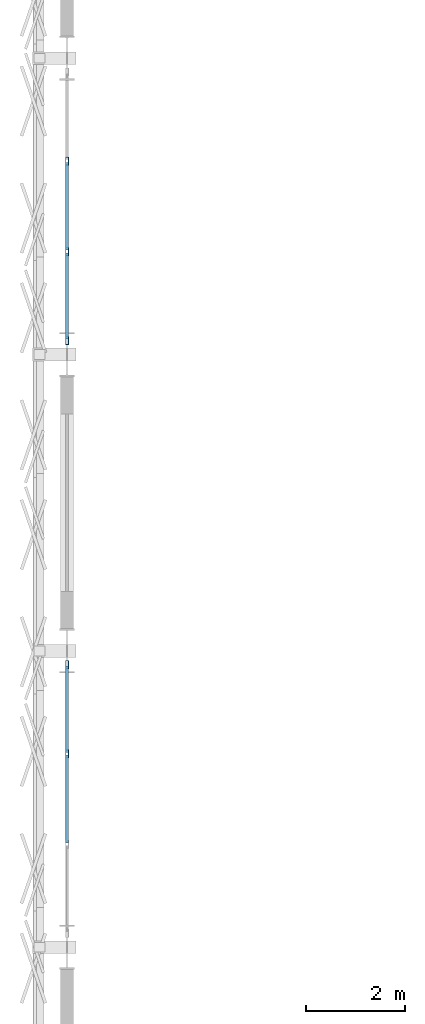
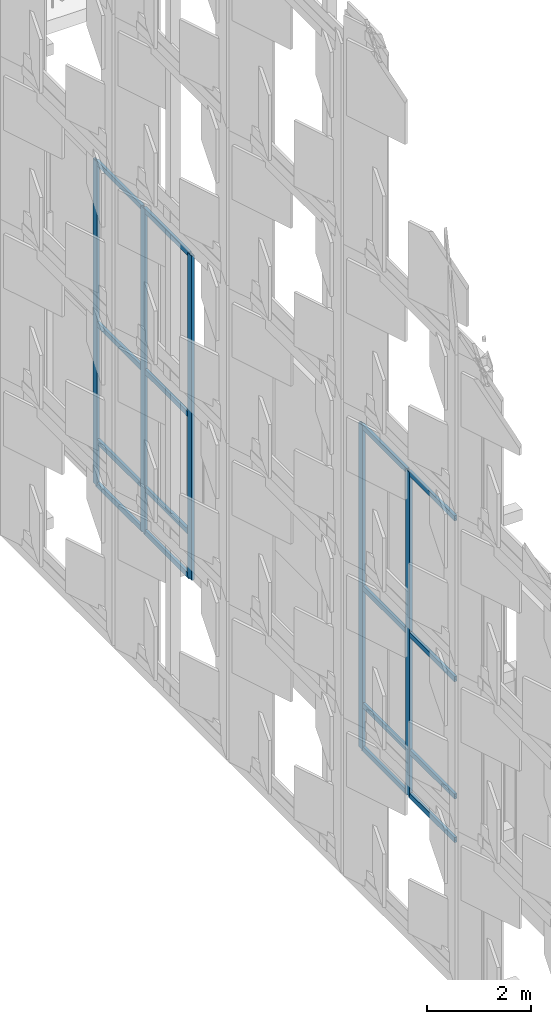
# One storey, part 77 of 210: 21 members, 2 elements without a shape of their own.
"""IFC4 building model written with IfcOpenShell, lengths in metres."""

from ifc_helpers import new_model, si_unit, direction, frame, origin, origin_2d, place, context, subcontext, project, spatial, hollow_rectangle, extrude, material, material_profile, profile_set, type_object, element, aggregate, save


model = new_model("IFC4")

# Units and contexts
model_context = context("Model", 3, precision=1e-05, world=origin(), true_north=direction((0.0, 1.0)))
body_context = subcontext(model_context, "Body", "Model", "MODEL_VIEW")
ifc_project = project(units=[si_unit("LENGTHUNIT", "METRE"), si_unit("AREAUNIT", "SQUARE_METRE"), si_unit("VOLUMEUNIT", "CUBIC_METRE"), si_unit("PLANEANGLEUNIT", "RADIAN"), si_unit("MASSUNIT", "GRAM", prefix="KILO")], contexts=[model_context])

# Site, building, storey
site_placement = place(None, origin())
site = spatial("IfcSite", under=ifc_project, at=site_placement, CompositionType="ELEMENT")
building_placement = place(site_placement, origin())
building = spatial("IfcBuilding", under=site, at=building_placement, Name="Kaldris Quays Convention Centre", CompositionType="ELEMENT")
storey_placement = place(building_placement, frame((0.0, 0.0, 6.0)))
storey = spatial("IfcBuildingStorey", under=building, at=storey_placement, Name="L01", CompositionType="ELEMENT", Elevation=6.0)

# Curtain wall, members
ifc_material_1 = material(Name="Anodized aluminium AW-6060 and triple glazing", Category="aluminium")
curtain_wall_type = type_object("IfcCurtainWallType", Name="UNITISED CURTAIN WALL CW03", PredefinedType="NOTDEFINED", material=ifc_material_1)
curtain_wall_1_placement = place(storey_placement, origin())
curtain_wall_1 = element("IfcCurtainWall", 1, at=curtain_wall_1_placement, inside=storey, type_object=curtain_wall_type, Name="L01 Unitised Curtain Wall CW03 19", PredefinedType="NOTDEFINED")
ifc_material_2 = material(Name="Anodized aluminium AW-6060", Category="aluminium")
ifc_material_profile_1 = material_profile(ifc_material_2, hollow_rectangle(XDim=0.06005859375, YDim=0.159912109375, WallThickness=0.00390625, at=origin_2d()), Name="RHS 160x60x4")
ifc_profile_set_1 = profile_set([ifc_material_profile_1], Name="Anodized aluminium AW-6060")
member_type_1 = type_object("IfcMemberType", Name="CURTAIN MULLION CWM1", PredefinedType="MULLION", material=ifc_profile_set_1)
member_1_placement = place(storey_placement, frame((20.0, 107.916748046875, 0.0), z_axis=(0.0, 0.0, 1.0), x_axis=(-1.0, 0.0, 0.0)))
member_1 = element("IfcMember", 2, at=member_1_placement, type_object=member_type_1, Name="CW03 mullion 3", PredefinedType="MULLION", context=body_context, shape_type="SweptSolid", body=[
    extrude(hollow_rectangle(XDim=0.06005859375, YDim=0.159912109375, WallThickness=0.00390625, at=origin_2d()), origin(), (0.0, 0.0, 1.0), 7.60009765625),
])
member_2_placement = place(storey_placement, frame((20.0, 109.719970703125, 0.0), z_axis=(0.0, 0.0, 1.0), x_axis=(-1.0, 0.0, 0.0)))
member_2 = element("IfcMember", 3, at=member_2_placement, type_object=member_type_1, Name="CW03 mullion 4", PredefinedType="MULLION", context=body_context, shape_type="SweptSolid", body=[
    extrude(hollow_rectangle(XDim=0.06005859375, YDim=0.159912109375, WallThickness=0.00390625, at=origin_2d()), origin(), (0.0, 0.0, 1.0), 7.60009765625),
])

curtain_wall_2_placement = place(storey_placement, origin())
curtain_wall_2 = element("IfcCurtainWall", 4, at=curtain_wall_2_placement, inside=storey, type_object=curtain_wall_type, Name="L01 Unitised Curtain Wall CW03 20", PredefinedType="NOTDEFINED")
member_3_placement = place(storey_placement, frame((20.0, 116.280029296875, 0.0), z_axis=(0.0, 0.0, 1.0), x_axis=(-1.0, 0.0, 0.0)))
member_3 = element("IfcMember", 5, at=member_3_placement, type_object=member_type_1, Name="CW03 mullion 1", PredefinedType="MULLION", context=body_context, shape_type="SweptSolid", body=[
    extrude(hollow_rectangle(XDim=0.06005859375, YDim=0.159912109375, WallThickness=0.00390625, at=origin_2d()), origin(), (0.0, 0.0, 1.0), 7.60009765625),
])
member_4_placement = place(storey_placement, frame((20.0, 118.083251953125, 0.0), z_axis=(0.0, 0.0, 1.0), x_axis=(-1.0, 0.0, 0.0)))
member_4 = element("IfcMember", 6, at=member_4_placement, type_object=member_type_1, Name="CW03 mullion 2", PredefinedType="MULLION", context=body_context, shape_type="SweptSolid", body=[
    extrude(hollow_rectangle(XDim=0.06005859375, YDim=0.159912109375, WallThickness=0.00390625, at=origin_2d()), origin(), (0.0, 0.0, 1.0), 7.60009765625),
])
member_5_placement = place(storey_placement, frame((20.0, 119.916748046875, 0.0), z_axis=(0.0, 0.0, 1.0), x_axis=(-1.0, 0.0, 0.0)))
member_5 = element("IfcMember", 7, at=member_5_placement, type_object=member_type_1, Name="CW03 mullion 3", PredefinedType="MULLION", context=body_context, shape_type="SweptSolid", body=[
    extrude(hollow_rectangle(XDim=0.06005859375, YDim=0.159912109375, WallThickness=0.00390625, at=origin_2d()), origin(), (0.0, 0.0, 1.0), 7.60009765625),
])

# Member
ifc_material_profile_2 = material_profile(ifc_material_2, hollow_rectangle(XDim=0.06005859375, YDim=0.1201171875, WallThickness=0.00390625, at=origin_2d()), Name="RHS 120x60x4")
ifc_profile_set_2 = profile_set([ifc_material_profile_2], Name="Anodized aluminium AW-6060")
member_type_2 = type_object("IfcMemberType", Name="CURTAIN TRANSOM CWT1", PredefinedType="USERDEFINED", material=ifc_profile_set_2)
member_6_placement = place(storey_placement, frame((20.0, 106.11328125, 0.030029296875), z_axis=(0.0, 1.0, 0.0), x_axis=(-1.0, 0.0, 0.0)))
member_6 = element("IfcMember", 8, at=member_6_placement, type_object=member_type_2, Name="CW03 transom 2.1", ObjectType="TRANSOM", PredefinedType="USERDEFINED", context=body_context, shape_type="SweptSolid", body=[
    extrude(hollow_rectangle(XDim=0.06005859375, YDim=0.1201171875, WallThickness=0.00390625, at=origin_2d()), origin(), (0.0, 0.0, 1.0), 1.7734375),
])

member_7_placement = place(storey_placement, frame((20.0, 106.11328125, 1.050048828125), z_axis=(0.0, 1.0, 0.0), x_axis=(-1.0, 0.0, 0.0)))
member_7 = element("IfcMember", 9, at=member_7_placement, type_object=member_type_2, Name="CW03 transom 2.2", ObjectType="TRANSOM", PredefinedType="USERDEFINED", context=body_context, shape_type="SweptSolid", body=[
    extrude(hollow_rectangle(XDim=0.06005859375, YDim=0.1201171875, WallThickness=0.00390625, at=origin_2d()), origin(), (0.0, 0.0, 1.0), 1.7734375),
])

member_8_placement = place(storey_placement, frame((20.0, 106.11328125, 3.800048828125), z_axis=(0.0, 1.0, 0.0), x_axis=(-1.0, 0.0, 0.0)))
member_8 = element("IfcMember", 10, at=member_8_placement, type_object=member_type_2, Name="CW03 transom 2.3", ObjectType="TRANSOM", PredefinedType="USERDEFINED", context=body_context, shape_type="SweptSolid", body=[
    extrude(hollow_rectangle(XDim=0.06005859375, YDim=0.1201171875, WallThickness=0.00390625, at=origin_2d()), origin(), (0.0, 0.0, 1.0), 1.7734375),
])

member_9_placement = place(storey_placement, frame((20.0, 106.11328125, 7.570068359375), z_axis=(0.0, 1.0, 0.0), x_axis=(-1.0, 0.0, 0.0)))
member_9 = element("IfcMember", 11, at=member_9_placement, type_object=member_type_2, Name="CW03 transom 2.4", ObjectType="TRANSOM", PredefinedType="USERDEFINED", context=body_context, shape_type="SweptSolid", body=[
    extrude(hollow_rectangle(XDim=0.06005859375, YDim=0.1201171875, WallThickness=0.00390625, at=origin_2d()), origin(), (0.0, 0.0, 1.0), 1.7734375),
])

member_10_placement = place(storey_placement, frame((20.0, 107.94677734375, 0.030029296875), z_axis=(0.0, 1.0, 0.0), x_axis=(-1.0, 0.0, 0.0)))
member_10 = element("IfcMember", 12, at=member_10_placement, type_object=member_type_2, Name="CW03 transom 3.1", ObjectType="TRANSOM", PredefinedType="USERDEFINED", context=body_context, shape_type="SweptSolid", body=[
    extrude(hollow_rectangle(XDim=0.06005859375, YDim=0.1201171875, WallThickness=0.00390625, at=origin_2d()), origin(), (0.0, 0.0, 1.0), 1.7431640625),
])

member_11_placement = place(storey_placement, frame((20.0, 107.94677734375, 1.050048828125), z_axis=(0.0, 1.0, 0.0), x_axis=(-1.0, 0.0, 0.0)))
member_11 = element("IfcMember", 13, at=member_11_placement, type_object=member_type_2, Name="CW03 transom 3.2", ObjectType="TRANSOM", PredefinedType="USERDEFINED", context=body_context, shape_type="SweptSolid", body=[
    extrude(hollow_rectangle(XDim=0.06005859375, YDim=0.1201171875, WallThickness=0.00390625, at=origin_2d()), origin(), (0.0, 0.0, 1.0), 1.7431640625),
])

member_12_placement = place(storey_placement, frame((20.0, 107.94677734375, 3.800048828125), z_axis=(0.0, 1.0, 0.0), x_axis=(-1.0, 0.0, 0.0)))
member_12 = element("IfcMember", 14, at=member_12_placement, type_object=member_type_2, Name="CW03 transom 3.3", ObjectType="TRANSOM", PredefinedType="USERDEFINED", context=body_context, shape_type="SweptSolid", body=[
    extrude(hollow_rectangle(XDim=0.06005859375, YDim=0.1201171875, WallThickness=0.00390625, at=origin_2d()), origin(), (0.0, 0.0, 1.0), 1.7431640625),
])

member_13_placement = place(storey_placement, frame((20.0, 107.94677734375, 7.570068359375), z_axis=(0.0, 1.0, 0.0), x_axis=(-1.0, 0.0, 0.0)))
member_13 = element("IfcMember", 15, at=member_13_placement, type_object=member_type_2, Name="CW03 transom 3.4", ObjectType="TRANSOM", PredefinedType="USERDEFINED", context=body_context, shape_type="SweptSolid", body=[
    extrude(hollow_rectangle(XDim=0.06005859375, YDim=0.1201171875, WallThickness=0.00390625, at=origin_2d()), origin(), (0.0, 0.0, 1.0), 1.7431640625),
])

aggregate(curtain_wall_1, [member_1, member_2, member_6, member_7, member_8, member_9, member_10, member_11, member_12, member_13])

member_14_placement = place(storey_placement, frame((20.0, 116.31005859375, 0.030029296875), z_axis=(0.0, 1.0, 0.0), x_axis=(-1.0, 0.0, 0.0)))
member_14 = element("IfcMember", 16, at=member_14_placement, type_object=member_type_2, Name="CW03 transom 1.1", ObjectType="TRANSOM", PredefinedType="USERDEFINED", context=body_context, shape_type="SweptSolid", body=[
    extrude(hollow_rectangle(XDim=0.06005859375, YDim=0.1201171875, WallThickness=0.00390625, at=origin_2d()), origin(), (0.0, 0.0, 1.0), 1.7431640625),
])

member_15_placement = place(storey_placement, frame((20.0, 116.31005859375, 1.050048828125), z_axis=(0.0, 1.0, 0.0), x_axis=(-1.0, 0.0, 0.0)))
member_15 = element("IfcMember", 17, at=member_15_placement, type_object=member_type_2, Name="CW03 transom 1.2", ObjectType="TRANSOM", PredefinedType="USERDEFINED", context=body_context, shape_type="SweptSolid", body=[
    extrude(hollow_rectangle(XDim=0.06005859375, YDim=0.1201171875, WallThickness=0.00390625, at=origin_2d()), origin(), (0.0, 0.0, 1.0), 1.7431640625),
])

member_16_placement = place(storey_placement, frame((20.0, 116.31005859375, 3.800048828125), z_axis=(0.0, 1.0, 0.0), x_axis=(-1.0, 0.0, 0.0)))
member_16 = element("IfcMember", 18, at=member_16_placement, type_object=member_type_2, Name="CW03 transom 1.3", ObjectType="TRANSOM", PredefinedType="USERDEFINED", context=body_context, shape_type="SweptSolid", body=[
    extrude(hollow_rectangle(XDim=0.06005859375, YDim=0.1201171875, WallThickness=0.00390625, at=origin_2d()), origin(), (0.0, 0.0, 1.0), 1.7431640625),
])

member_17_placement = place(storey_placement, frame((20.0, 116.31005859375, 7.570068359375), z_axis=(0.0, 1.0, 0.0), x_axis=(-1.0, 0.0, 0.0)))
member_17 = element("IfcMember", 19, at=member_17_placement, type_object=member_type_2, Name="CW03 transom 1.4", ObjectType="TRANSOM", PredefinedType="USERDEFINED", context=body_context, shape_type="SweptSolid", body=[
    extrude(hollow_rectangle(XDim=0.06005859375, YDim=0.1201171875, WallThickness=0.00390625, at=origin_2d()), origin(), (0.0, 0.0, 1.0), 1.7431640625),
])

member_18_placement = place(storey_placement, frame((20.0, 118.11328125, 0.030029296875), z_axis=(0.0, 1.0, 0.0), x_axis=(-1.0, 0.0, 0.0)))
member_18 = element("IfcMember", 20, at=member_18_placement, type_object=member_type_2, Name="CW03 transom 2.1", ObjectType="TRANSOM", PredefinedType="USERDEFINED", context=body_context, shape_type="SweptSolid", body=[
    extrude(hollow_rectangle(XDim=0.06005859375, YDim=0.1201171875, WallThickness=0.00390625, at=origin_2d()), origin(), (0.0, 0.0, 1.0), 1.7734375),
])

member_19_placement = place(storey_placement, frame((20.0, 118.11328125, 1.050048828125), z_axis=(0.0, 1.0, 0.0), x_axis=(-1.0, 0.0, 0.0)))
member_19 = element("IfcMember", 21, at=member_19_placement, type_object=member_type_2, Name="CW03 transom 2.2", ObjectType="TRANSOM", PredefinedType="USERDEFINED", context=body_context, shape_type="SweptSolid", body=[
    extrude(hollow_rectangle(XDim=0.06005859375, YDim=0.1201171875, WallThickness=0.00390625, at=origin_2d()), origin(), (0.0, 0.0, 1.0), 1.7734375),
])

member_20_placement = place(storey_placement, frame((20.0, 118.11328125, 3.800048828125), z_axis=(0.0, 1.0, 0.0), x_axis=(-1.0, 0.0, 0.0)))
member_20 = element("IfcMember", 22, at=member_20_placement, type_object=member_type_2, Name="CW03 transom 2.3", ObjectType="TRANSOM", PredefinedType="USERDEFINED", context=body_context, shape_type="SweptSolid", body=[
    extrude(hollow_rectangle(XDim=0.06005859375, YDim=0.1201171875, WallThickness=0.00390625, at=origin_2d()), origin(), (0.0, 0.0, 1.0), 1.7734375),
])

member_21_placement = place(storey_placement, frame((20.0, 118.11328125, 7.570068359375), z_axis=(0.0, 1.0, 0.0), x_axis=(-1.0, 0.0, 0.0)))
member_21 = element("IfcMember", 23, at=member_21_placement, type_object=member_type_2, Name="CW03 transom 2.4", ObjectType="TRANSOM", PredefinedType="USERDEFINED", context=body_context, shape_type="SweptSolid", body=[
    extrude(hollow_rectangle(XDim=0.06005859375, YDim=0.1201171875, WallThickness=0.00390625, at=origin_2d()), origin(), (0.0, 0.0, 1.0), 1.7734375),
])

aggregate(curtain_wall_2, [member_3, member_4, member_5, member_14, member_15, member_16, member_17, member_18, member_19, member_20, member_21])

save(model, "model.ifc")
